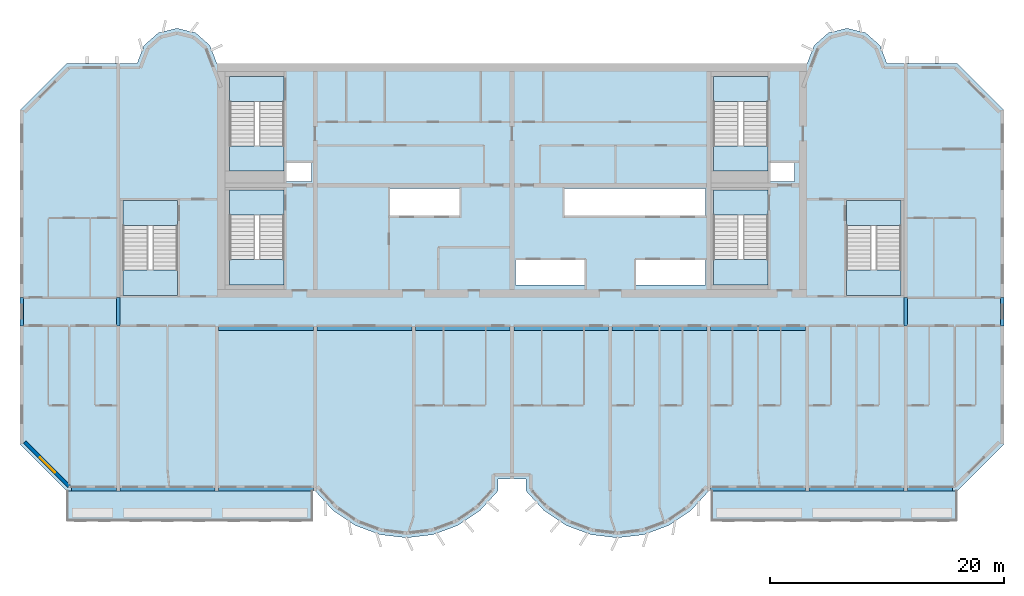
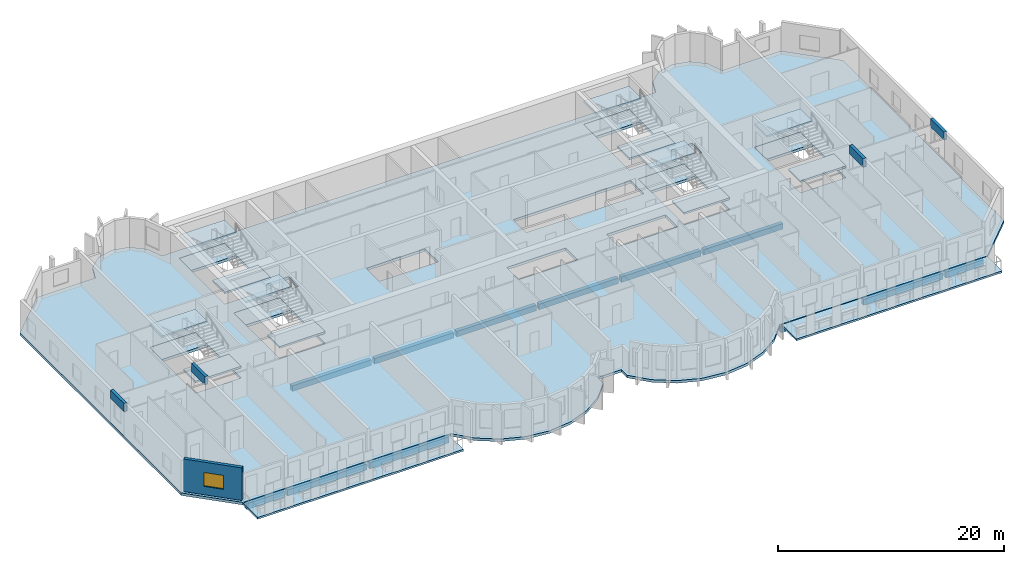
# One storey, part 1 of 13: 21 slabs, 16 beams, 1 wall, 1 window, 1 opening, 6 elements without a shape of their own.
"""IFC4 building model written with IfcOpenShell, lengths in metres."""

from ifc_helpers import new_model, si_unit, direction, frame, frame_2d, origin, origin_2d, place, context, subcontext, project, spatial, polyline, rectangle, outline, extrude, source, transform, mapped, material, layer, layer_set, material_profile, profile_set, type_object, element, fill, aggregate, save


model = new_model("IFC4")

# Units and contexts
model_context = context("Model", 3, precision=1e-05, world=origin(), true_north=direction((0.0, 1.0)))
body_context = subcontext(model_context, "Body", "Model", "MODEL_VIEW")
ifc_project = project(units=[si_unit("LENGTHUNIT", "METRE"), si_unit("AREAUNIT", "SQUARE_METRE"), si_unit("VOLUMEUNIT", "CUBIC_METRE"), si_unit("PLANEANGLEUNIT", "RADIAN"), si_unit("MASSUNIT", "GRAM", prefix="KILO")], contexts=[model_context])

# Site, building, storey
site_placement = place(None, origin())
site = spatial("IfcSite", under=ifc_project, at=site_placement, CompositionType="ELEMENT")
building_placement = place(site_placement, origin())
building = spatial("IfcBuilding", under=site, at=building_placement, Name="Vanashikhar Sky Hotel", CompositionType="ELEMENT")
storey_placement = place(building_placement, frame((0.0, 0.0, 197.199951171875)))
storey = spatial("IfcBuildingStorey", under=building, at=storey_placement, Name="L48", CompositionType="ELEMENT", Elevation=197.199951171875)

# Beams
ifc_material_1 = material(Name="Concrete M50", Category="concrete")
ifc_material_profile_1 = material_profile(ifc_material_1, rectangle(XDim=0.300048828125, YDim=0.89990234375, at=origin_2d()))
ifc_profile_set_1 = profile_set([ifc_material_profile_1], Name="RC 300x900 beam Concrete M50")
beam_type_1 = type_object("IfcBeamType", Name="RC 300x900 beam Concrete M50", PredefinedType="LINTEL", material=ifc_profile_set_1)
shared_shape_1 = source(origin(), body_context, "Body", "SweptSolid", [
    extrude(rectangle(XDim=0.300048828125, YDim=0.89990234375, at=origin_2d()), origin(), (0.0, 0.0, 1.0), 2.39990234375),
])
for number, where, z_axis, x_axis, name in (
    (1, (8.550048828125, 19.60009765625, 3.070068359375), (0.0, 1.0, 0.0), (-1.0, 0.0, 0.0), "LB-L48-XW02"),
    (2, (16.800048828125, 19.60009765625, 3.070068359375), (0.0, 1.0, 0.0), (-1.0, 0.0, 0.0), "LB-L48-XW03"),
    (3, (84.0, 19.60009765625, 3.070068359375), (0.0, 1.0, 0.0), (-1.0, 0.0, 0.0), "LB-L48-XW11"),
    (4, (92.25, 19.60009765625, 3.070068359375), (0.0, 1.0, 0.0), (-1.0, 0.0, 0.0), "LB-L48-XW12"),
):
    element("IfcBeam", number, at=place(storey_placement, frame(where, z_axis=z_axis, x_axis=x_axis)), inside=storey, type_object=beam_type_1, Name=name, PredefinedType="LINTEL", context=body_context, shape_type="MappedRepresentation", body=[
        mapped(shared_shape_1, transform((0.0, 0.0, 0.0), scale=1.0)),
    ])
ifc_material_profile_2 = material_profile(ifc_material_1, rectangle(XDim=0.39990234375, YDim=0.64990234375, at=origin_2d()))
ifc_profile_set_2 = profile_set([ifc_material_profile_2], Name="RC 400x650 beam Concrete M50")
beam_type_2 = type_object("IfcBeamType", Name="RC 400x650 beam Concrete M50", PredefinedType="BEAM", material=ifc_profile_set_2)
shared_shape_2 = source(origin(), body_context, "Body", "SweptSolid", [
    extrude(rectangle(XDim=0.39990234375, YDim=0.64990234375, at=origin_2d()), origin(), (0.0, 0.0, 1.0), 8.10009765625),
])
for number, where, z_axis, x_axis, name in (
    (5, (16.949951171875, 5.699951171875, -0.60498046875), (1.0, 0.0, 0.0), (0.0, 1.0, 0.0), "EB-L48-F01"),
    (6, (75.75, 5.699951171875, -0.60498046875), (1.0, 0.0, 0.0), (0.0, 1.0, 0.0), "EB-L48-F05"),
):
    element("IfcBeam", number, at=place(storey_placement, frame(where, z_axis=z_axis, x_axis=x_axis)), inside=storey, type_object=beam_type_2, Name=name, PredefinedType="BEAM", context=body_context, shape_type="MappedRepresentation", body=[
        mapped(shared_shape_2, transform((0.0, 0.0, 0.0), scale=1.0)),
    ])
shared_shape_3 = source(origin(), body_context, "Body", "SweptSolid", [
    extrude(rectangle(XDim=0.39990234375, YDim=0.64990234375, at=origin_2d()), origin(), (0.0, 0.0, 1.0), 8.099853515625),
])
for number, where, z_axis, x_axis, name in (
    (7, (25.35009765625, 5.699951171875, -0.60498046875), (1.0, 0.0, 0.0), (0.0, 1.0, 0.0), "EB-L48-F02"),
    (8, (67.35009765625, 5.699951171875, -0.60498046875), (1.0, 0.0, 0.0), (0.0, 1.0, 0.0), "EB-L48-F04"),
):
    element("IfcBeam", number, at=place(storey_placement, frame(where, z_axis=z_axis, x_axis=x_axis)), inside=storey, type_object=beam_type_2, Name=name, PredefinedType="BEAM", context=body_context, shape_type="MappedRepresentation", body=[
        mapped(shared_shape_3, transform((0.0, 0.0, 0.0), scale=1.0)),
    ])
ifc_material_profile_3 = material_profile(ifc_material_1, rectangle(XDim=0.39990234375, YDim=0.64990234375, at=origin_2d()))
ifc_profile_set_3 = profile_set([ifc_material_profile_3], Name="RC 400x650 cantilever beam Concrete M50")
beam_type_3 = type_object("IfcBeamType", Name="RC 400x650 cantilever beam Concrete M50", PredefinedType="SPANDREL", material=ifc_profile_set_3)
shared_shape_4 = source(origin(), body_context, "Body", "SweptSolid", [
    extrude(rectangle(XDim=0.39990234375, YDim=0.64990234375, at=origin_2d()), origin(), (0.0, 0.0, 1.0), 3.849853515625),
])
beam_1_placement = place(storey_placement, frame((12.800048828125, 5.699951171875, -0.60498046875), z_axis=(1.0, 0.0, 0.0), x_axis=(0.0, 1.0, 0.0)))
element("IfcBeam", 9, at=beam_1_placement, inside=storey, type_object=beam_type_3, Name="EB-L48-F03", PredefinedType="SPANDREL", context=body_context, shape_type="MappedRepresentation", body=[
    mapped(shared_shape_4, transform((0.0, 0.0, 0.0), scale=1.0)),
])
shared_shape_5 = source(origin(), body_context, "Body", "SweptSolid", [
    extrude(rectangle(XDim=0.39990234375, YDim=0.64990234375, at=origin_2d()), origin(), (0.0, 0.0, 1.0), 3.85009765625),
])
beam_2_placement = place(storey_placement, frame((84.14990234375, 5.699951171875, -0.60498046875), z_axis=(1.0, 0.0, 0.0), x_axis=(0.0, 1.0, 0.0)))
element("IfcBeam", 10, at=beam_2_placement, inside=storey, type_object=beam_type_3, Name="EB-L48-F06", PredefinedType="SPANDREL", context=body_context, shape_type="MappedRepresentation", body=[
    mapped(shared_shape_5, transform((0.0, 0.0, 0.0), scale=1.0)),
])
ifc_material_profile_4 = material_profile(ifc_material_1, rectangle(XDim=0.39990234375, YDim=0.60009765625, at=origin_2d()))
ifc_profile_set_4 = profile_set([ifc_material_profile_4], Name="RC 400x600 beam Concrete M50")
beam_type_4 = type_object("IfcBeamType", Name="RC 400x600 beam Concrete M50", PredefinedType="BEAM", material=ifc_profile_set_4)
shared_shape_6 = source(origin(), body_context, "Body", "SweptSolid", [
    extrude(rectangle(XDim=0.39990234375, YDim=0.60009765625, at=origin_2d()), origin(), (0.0, 0.0, 1.0), 8.099853515625),
])
for number, where, z_axis, x_axis, name in (
    (11, (25.35009765625, 19.39990234375, -0.579833984375), (1.0, 0.0, 0.0), (0.0, 1.0, 0.0), "CB-L48-01"),
    (12, (50.550048828125, 19.39990234375, -0.579833984375), (1.0, 0.0, 0.0), (0.0, 1.0, 0.0), "CB-L48-04"),
    (13, (67.35009765625, 19.39990234375, -0.579833984375), (1.0, 0.0, 0.0), (0.0, 1.0, 0.0), "CB-L48-06"),
):
    element("IfcBeam", number, at=place(storey_placement, frame(where, z_axis=z_axis, x_axis=x_axis)), inside=storey, type_object=beam_type_4, Name=name, PredefinedType="BEAM", context=body_context, shape_type="MappedRepresentation", body=[
        mapped(shared_shape_6, transform((0.0, 0.0, 0.0), scale=1.0)),
    ])
shared_shape_7 = source(origin(), body_context, "Body", "SweptSolid", [
    extrude(rectangle(XDim=0.39990234375, YDim=0.60009765625, at=origin_2d()), origin(), (0.0, 0.0, 1.0), 8.10009765625),
])
for number, where, z_axis, x_axis, name in (
    (14, (33.75, 19.39990234375, -0.579833984375), (1.0, 0.0, 0.0), (0.0, 1.0, 0.0), "CB-L48-02"),
    (15, (42.14990234375, 19.39990234375, -0.579833984375), (1.0, 0.0, 0.0), (0.0, 1.0, 0.0), "CB-L48-03"),
    (16, (58.949951171875, 19.39990234375, -0.579833984375), (1.0, 0.0, 0.0), (0.0, 1.0, 0.0), "CB-L48-05"),
):
    element("IfcBeam", number, at=place(storey_placement, frame(where, z_axis=z_axis, x_axis=x_axis)), inside=storey, type_object=beam_type_4, Name=name, PredefinedType="BEAM", context=body_context, shape_type="MappedRepresentation", body=[
        mapped(shared_shape_7, transform((0.0, 0.0, 0.0), scale=1.0)),
    ])

# Slabs
ifc_material_2 = material(Name="Concrete M40", Category="concrete")
ifc_layer_1 = layer(ifc_material_2, 0.280029296875)
ifc_layer_set_1 = layer_set([ifc_layer_1], Name="Floor slab 280 mm")
slab_type_1 = type_object("IfcSlabType", Name="Floor slab 280 mm", PredefinedType="FLOOR", material=ifc_layer_set_1)
shared_shape_8 = source(origin(), body_context, "Body", "SweptSolid", [
    extrude(outline(polyline([(49.199951171875, 5.5), (49.199951171875, 6.5), (51.60009765625, 6.5), (51.60009765625, 5.5), (53.133056640625, 3.825927734375), (55.01708984375, 2.55810546875), (57.14599609375, 1.76806640625), (59.39990234375, 1.5), (61.654052734375, 1.76806640625), (63.782958984375, 2.55810546875), (65.6669921875, 3.825927734375), (67.199951171875, 5.5), (88.39990234375, 5.5), (92.39990234375, 9.5), (92.39990234375, 38.0), (88.39990234375, 42.0), (82.39990234375, 42.0), (81.81494140625, 43.527099609375), (80.587890625, 44.610107421875), (79.0, 45.0), (77.412109375, 44.610107421875), (76.18505859375, 43.527099609375), (75.60009765625, 42.0), (25.199951171875, 42.0), (24.614990234375, 43.527099609375), (23.387939453125, 44.610107421875), (21.800048828125, 45.0), (20.2119140625, 44.610107421875), (18.985107421875, 43.527099609375), (18.39990234375, 42.0), (12.39990234375, 42.0), (8.39990234375, 38.0), (8.39990234375, 9.5), (12.39990234375, 5.5), (33.60009765625, 5.5), (35.133056640625, 3.825927734375), (37.01708984375, 2.55810546875), (39.14599609375, 1.76806640625), (41.39990234375, 1.5), (43.654052734375, 1.76806640625), (45.782958984375, 2.55810546875), (47.6669921875, 3.825927734375), (49.199951171875, 5.5)]), holes=[polyline([(33.300048828125, 33.60009765625), (31.050048828125, 33.60009765625), (31.050048828125, 31.89990234375), (33.300048828125, 31.89990234375), (33.300048828125, 33.60009765625)]), polyline([(39.89990234375, 31.300048828125), (39.89990234375, 29.0), (45.89990234375, 29.0), (45.89990234375, 31.300048828125), (39.89990234375, 31.300048828125)]), polyline([(50.699951171875, 25.199951171875), (50.699951171875, 23.10009765625), (56.699951171875, 23.10009765625), (56.699951171875, 25.199951171875), (50.699951171875, 25.199951171875)]), polyline([(66.89990234375, 29.0), (66.89990234375, 31.300048828125), (54.89990234375, 31.300048828125), (54.89990234375, 29.0), (66.89990234375, 29.0)]), polyline([(60.89990234375, 25.199951171875), (60.89990234375, 23.10009765625), (66.89990234375, 23.10009765625), (66.89990234375, 25.199951171875), (60.89990234375, 25.199951171875)]), polyline([(74.5, 33.60009765625), (72.35009765625, 33.60009765625), (72.35009765625, 31.89990234375), (74.5, 31.89990234375), (74.5, 33.60009765625)]), polyline([(30.949951171875, 23.10009765625), (30.949951171875, 31.199951171875), (26.300048828125, 31.199951171875), (26.300048828125, 23.10009765625), (30.949951171875, 23.10009765625)]), polyline([(72.25, 23.10009765625), (72.25, 31.199951171875), (67.60009765625, 31.199951171875), (67.60009765625, 23.10009765625), (72.25, 23.10009765625)]), polyline([(30.949951171875, 32.800048828125), (30.949951171875, 40.89990234375), (26.300048828125, 40.89990234375), (26.300048828125, 32.800048828125), (30.949951171875, 32.800048828125)]), polyline([(72.25, 32.800048828125), (72.25, 40.89990234375), (67.60009765625, 40.89990234375), (67.60009765625, 32.800048828125), (72.25, 32.800048828125)]), polyline([(83.60009765625, 22.199951171875), (83.60009765625, 30.300048828125), (78.949951171875, 30.300048828125), (78.949951171875, 22.199951171875), (83.60009765625, 22.199951171875)]), polyline([(21.85009765625, 22.199951171875), (21.85009765625, 30.300048828125), (17.199951171875, 30.300048828125), (17.199951171875, 22.199951171875), (21.85009765625, 22.199951171875)])]), origin(), (0.0, 0.0, 1.0), 0.280029296875),
])
slab_1_placement = place(storey_placement, frame((0.0, 0.0, -0.280029296875)))
element("IfcSlab", 17, at=slab_1_placement, inside=storey, type_object=slab_type_1, Name="Floor slab L48", PredefinedType="FLOOR", context=body_context, shape_type="MappedRepresentation", body=[
    mapped(shared_shape_8, transform((0.0, 0.0, 0.0), scale=1.0)),
])
ifc_layer_2 = layer(ifc_material_2, 0.199951171875)
ifc_layer_set_2 = layer_set([ifc_layer_2], Name="Balcony slab 200 mm")
slab_type_2 = type_object("IfcSlabType", Name="Balcony slab 200 mm", PredefinedType="USERDEFINED", material=ifc_layer_set_2)
shared_shape_9 = source(origin(), body_context, "Body", "SweptSolid", [
    extrude(outline(polyline([(12.39990234375, 2.89990234375), (33.39990234375, 2.89990234375), (33.39990234375, 5.5), (12.39990234375, 5.5), (12.39990234375, 2.89990234375)])), origin(), (0.0, 0.0, 1.0), 0.199951171875),
])
slab_2_placement = place(storey_placement, frame((0.0, 0.0, -0.25)))
element("IfcSlab", 18, at=slab_2_placement, inside=storey, type_object=slab_type_2, Name="Balcony slab L48 1", ObjectType="BALCONY", PredefinedType="USERDEFINED", context=body_context, shape_type="MappedRepresentation", body=[
    mapped(shared_shape_9, transform((0.0, 0.0, 0.0), scale=1.0)),
])
shared_shape_10 = source(origin(), body_context, "Body", "SweptSolid", [
    extrude(outline(polyline([(67.39990234375, 2.89990234375), (88.39990234375, 2.89990234375), (88.39990234375, 5.5), (67.39990234375, 5.5), (67.39990234375, 2.89990234375)])), origin(), (0.0, 0.0, 1.0), 0.199951171875),
])
slab_3_placement = place(storey_placement, frame((0.0, 0.0, -0.25)))
element("IfcSlab", 19, at=slab_3_placement, inside=storey, type_object=slab_type_2, Name="Balcony slab L48 2", ObjectType="BALCONY", PredefinedType="USERDEFINED", context=body_context, shape_type="MappedRepresentation", body=[
    mapped(shared_shape_10, transform((0.0, 0.0, 0.0), scale=1.0)),
])

# Stair, slabs
stair_type = type_object("IfcStairType", Name="Exit stair 2150", PredefinedType="DOUBLE_RETURN_STAIR", material=ifc_material_2)
stair_1_placement = place(storey_placement, origin())
stair_1 = element("IfcStair", 20, at=stair_1_placement, inside=storey, type_object=stair_type, Name="L48 Exit stair 1", PredefinedType="DOUBLE_RETURN_STAIR")
ifc_layer_3 = layer(ifc_material_2, 0.199951171875)
ifc_layer_set_3 = layer_set([ifc_layer_3], Name="Stair landing 200")
slab_type_3 = type_object("IfcSlabType", Name="Stair landing 200", PredefinedType="LANDING", material=ifc_layer_set_3)
shared_shape_11 = source(origin(), body_context, "Body", "SweptSolid", [
    extrude(outline(polyline([(30.949951171875, 29.050048828125), (30.949951171875, 31.199951171875), (26.300048828125, 31.199951171875), (26.300048828125, 29.050048828125), (30.949951171875, 29.050048828125)])), origin(), (0.0, 0.0, 1.0), 0.199951171875),
])
slab_4_placement = place(storey_placement, frame((0.0, 0.0, 2.33349609375)))
slab_4 = element("IfcSlab", 21, at=slab_4_placement, type_object=slab_type_3, Name="ST-C1 landing 2", PredefinedType="LANDING", context=body_context, shape_type="MappedRepresentation", body=[
    mapped(shared_shape_11, transform((0.0, 0.0, 0.0), scale=1.0)),
])
shared_shape_12 = source(origin(), body_context, "Body", "SweptSolid", [
    extrude(outline(polyline([(30.949951171875, 23.10009765625), (30.949951171875, 25.25), (26.300048828125, 25.25), (26.300048828125, 23.10009765625), (30.949951171875, 23.10009765625)])), origin(), (0.0, 0.0, 1.0), 0.199951171875),
])
slab_5_placement = place(storey_placement, frame((0.0, 0.0, 1.066650390625)))
slab_5 = element("IfcSlab", 22, at=slab_5_placement, type_object=slab_type_3, Name="ST-C1 landing 1", PredefinedType="LANDING", context=body_context, shape_type="MappedRepresentation", body=[
    mapped(shared_shape_12, transform((0.0, 0.0, 0.0), scale=1.0)),
])
aggregate(stair_1, [slab_5, slab_4])

# Slab
ifc_layer_4 = layer(ifc_material_2, 0.280029296875)
ifc_layer_set_4 = layer_set([ifc_layer_4], Name="Stair floor landing 280")
slab_type_4 = type_object("IfcSlabType", Name="Stair floor landing 280", PredefinedType="LANDING", material=ifc_layer_set_4)
shared_shape_13 = source(origin(), body_context, "Body", "SweptSolid", [
    extrude(outline(polyline([(30.949951171875, 29.050048828125), (30.949951171875, 31.199951171875), (26.300048828125, 31.199951171875), (26.300048828125, 29.050048828125), (30.949951171875, 29.050048828125)])), origin(), (0.0, 0.0, 1.0), 0.280029296875),
])
slab_6_placement = place(storey_placement, frame((0.0, 0.0, -0.280029296875)))
element("IfcSlab", 23, at=slab_6_placement, inside=storey, type_object=slab_type_4, Name="Exit stair 1 floor landing", PredefinedType="LANDING", context=body_context, shape_type="MappedRepresentation", body=[
    mapped(shared_shape_13, transform((0.0, 0.0, 0.0), scale=1.0)),
])

# Stair, slabs
stair_2_placement = place(storey_placement, origin())
stair_2 = element("IfcStair", 24, at=stair_2_placement, inside=storey, type_object=stair_type, Name="L48 Exit stair 2", PredefinedType="DOUBLE_RETURN_STAIR")
shared_shape_14 = source(origin(), body_context, "Body", "SweptSolid", [
    extrude(outline(polyline([(72.25, 29.050048828125), (72.25, 31.199951171875), (67.60009765625, 31.199951171875), (67.60009765625, 29.050048828125), (72.25, 29.050048828125)])), origin(), (0.0, 0.0, 1.0), 0.199951171875),
])
slab_7_placement = place(storey_placement, frame((0.0, 0.0, 2.33349609375)))
slab_7 = element("IfcSlab", 25, at=slab_7_placement, type_object=slab_type_3, Name="ST-C2 landing 2", PredefinedType="LANDING", context=body_context, shape_type="MappedRepresentation", body=[
    mapped(shared_shape_14, transform((0.0, 0.0, 0.0), scale=1.0)),
])
shared_shape_15 = source(origin(), body_context, "Body", "SweptSolid", [
    extrude(outline(polyline([(72.25, 23.10009765625), (72.25, 25.25), (67.60009765625, 25.25), (67.60009765625, 23.10009765625), (72.25, 23.10009765625)])), origin(), (0.0, 0.0, 1.0), 0.199951171875),
])
slab_8_placement = place(storey_placement, frame((0.0, 0.0, 1.066650390625)))
slab_8 = element("IfcSlab", 26, at=slab_8_placement, type_object=slab_type_3, Name="ST-C2 landing 1", PredefinedType="LANDING", context=body_context, shape_type="MappedRepresentation", body=[
    mapped(shared_shape_15, transform((0.0, 0.0, 0.0), scale=1.0)),
])
aggregate(stair_2, [slab_8, slab_7])

# Slab
shared_shape_16 = source(origin(), body_context, "Body", "SweptSolid", [
    extrude(outline(polyline([(72.25, 29.050048828125), (72.25, 31.199951171875), (67.60009765625, 31.199951171875), (67.60009765625, 29.050048828125), (72.25, 29.050048828125)])), origin(), (0.0, 0.0, 1.0), 0.280029296875),
])
slab_9_placement = place(storey_placement, frame((0.0, 0.0, -0.280029296875)))
element("IfcSlab", 27, at=slab_9_placement, inside=storey, type_object=slab_type_4, Name="Exit stair 2 floor landing", PredefinedType="LANDING", context=body_context, shape_type="MappedRepresentation", body=[
    mapped(shared_shape_16, transform((0.0, 0.0, 0.0), scale=1.0)),
])

# Stair, slabs
stair_3_placement = place(storey_placement, origin())
stair_3 = element("IfcStair", 28, at=stair_3_placement, inside=storey, type_object=stair_type, Name="L48 Exit stair 3", PredefinedType="DOUBLE_RETURN_STAIR")
shared_shape_17 = source(origin(), body_context, "Body", "SweptSolid", [
    extrude(outline(polyline([(21.85009765625, 28.14990234375), (21.85009765625, 30.300048828125), (17.199951171875, 30.300048828125), (17.199951171875, 28.14990234375), (21.85009765625, 28.14990234375)])), origin(), (0.0, 0.0, 1.0), 0.199951171875),
])
slab_10_placement = place(storey_placement, frame((0.0, 0.0, 2.33349609375)))
slab_10 = element("IfcSlab", 29, at=slab_10_placement, type_object=slab_type_3, Name="ST-W landing 2", PredefinedType="LANDING", context=body_context, shape_type="MappedRepresentation", body=[
    mapped(shared_shape_17, transform((0.0, 0.0, 0.0), scale=1.0)),
])
shared_shape_18 = source(origin(), body_context, "Body", "SweptSolid", [
    extrude(outline(polyline([(21.85009765625, 22.199951171875), (21.85009765625, 24.35009765625), (17.199951171875, 24.35009765625), (17.199951171875, 22.199951171875), (21.85009765625, 22.199951171875)])), origin(), (0.0, 0.0, 1.0), 0.199951171875),
])
slab_11_placement = place(storey_placement, frame((0.0, 0.0, 1.066650390625)))
slab_11 = element("IfcSlab", 30, at=slab_11_placement, type_object=slab_type_3, Name="ST-W landing 1", PredefinedType="LANDING", context=body_context, shape_type="MappedRepresentation", body=[
    mapped(shared_shape_18, transform((0.0, 0.0, 0.0), scale=1.0)),
])
aggregate(stair_3, [slab_11, slab_10])

# Slab
shared_shape_19 = source(origin(), body_context, "Body", "SweptSolid", [
    extrude(outline(polyline([(21.85009765625, 28.14990234375), (21.85009765625, 30.300048828125), (17.199951171875, 30.300048828125), (17.199951171875, 28.14990234375), (21.85009765625, 28.14990234375)])), origin(), (0.0, 0.0, 1.0), 0.280029296875),
])
slab_12_placement = place(storey_placement, frame((0.0, 0.0, -0.280029296875)))
element("IfcSlab", 31, at=slab_12_placement, inside=storey, type_object=slab_type_4, Name="Exit stair 3 floor landing", PredefinedType="LANDING", context=body_context, shape_type="MappedRepresentation", body=[
    mapped(shared_shape_19, transform((0.0, 0.0, 0.0), scale=1.0)),
])

# Stair, slabs
stair_4_placement = place(storey_placement, origin())
stair_4 = element("IfcStair", 32, at=stair_4_placement, inside=storey, type_object=stair_type, Name="L48 Exit stair 4", PredefinedType="DOUBLE_RETURN_STAIR")
shared_shape_20 = source(origin(), body_context, "Body", "SweptSolid", [
    extrude(outline(polyline([(83.60009765625, 28.14990234375), (83.60009765625, 30.300048828125), (78.949951171875, 30.300048828125), (78.949951171875, 28.14990234375), (83.60009765625, 28.14990234375)])), origin(), (0.0, 0.0, 1.0), 0.199951171875),
])
slab_13_placement = place(storey_placement, frame((0.0, 0.0, 2.33349609375)))
slab_13 = element("IfcSlab", 33, at=slab_13_placement, type_object=slab_type_3, Name="ST-E landing 2", PredefinedType="LANDING", context=body_context, shape_type="MappedRepresentation", body=[
    mapped(shared_shape_20, transform((0.0, 0.0, 0.0), scale=1.0)),
])
shared_shape_21 = source(origin(), body_context, "Body", "SweptSolid", [
    extrude(outline(polyline([(83.60009765625, 22.199951171875), (83.60009765625, 24.35009765625), (78.949951171875, 24.35009765625), (78.949951171875, 22.199951171875), (83.60009765625, 22.199951171875)])), origin(), (0.0, 0.0, 1.0), 0.199951171875),
])
slab_14_placement = place(storey_placement, frame((0.0, 0.0, 1.066650390625)))
slab_14 = element("IfcSlab", 34, at=slab_14_placement, type_object=slab_type_3, Name="ST-E landing 1", PredefinedType="LANDING", context=body_context, shape_type="MappedRepresentation", body=[
    mapped(shared_shape_21, transform((0.0, 0.0, 0.0), scale=1.0)),
])
aggregate(stair_4, [slab_14, slab_13])

# Slab
shared_shape_22 = source(origin(), body_context, "Body", "SweptSolid", [
    extrude(outline(polyline([(83.60009765625, 28.14990234375), (83.60009765625, 30.300048828125), (78.949951171875, 30.300048828125), (78.949951171875, 28.14990234375), (83.60009765625, 28.14990234375)])), origin(), (0.0, 0.0, 1.0), 0.280029296875),
])
slab_15_placement = place(storey_placement, frame((0.0, 0.0, -0.280029296875)))
element("IfcSlab", 35, at=slab_15_placement, inside=storey, type_object=slab_type_4, Name="Exit stair 4 floor landing", PredefinedType="LANDING", context=body_context, shape_type="MappedRepresentation", body=[
    mapped(shared_shape_22, transform((0.0, 0.0, 0.0), scale=1.0)),
])

# Stair, slabs
stair_5_placement = place(storey_placement, origin())
stair_5 = element("IfcStair", 36, at=stair_5_placement, inside=storey, type_object=stair_type, Name="L48 Exit stair 5", PredefinedType="DOUBLE_RETURN_STAIR")
shared_shape_23 = source(origin(), body_context, "Body", "SweptSolid", [
    extrude(outline(polyline([(30.949951171875, 38.75), (30.949951171875, 40.89990234375), (26.300048828125, 40.89990234375), (26.300048828125, 38.75), (30.949951171875, 38.75)])), origin(), (0.0, 0.0, 1.0), 0.199951171875),
])
slab_16_placement = place(storey_placement, frame((0.0, 0.0, 2.33349609375)))
slab_16 = element("IfcSlab", 37, at=slab_16_placement, type_object=slab_type_3, Name="ST-C3 landing 2", PredefinedType="LANDING", context=body_context, shape_type="MappedRepresentation", body=[
    mapped(shared_shape_23, transform((0.0, 0.0, 0.0), scale=1.0)),
])
shared_shape_24 = source(origin(), body_context, "Body", "SweptSolid", [
    extrude(outline(polyline([(30.949951171875, 32.800048828125), (30.949951171875, 34.949951171875), (26.300048828125, 34.949951171875), (26.300048828125, 32.800048828125), (30.949951171875, 32.800048828125)])), origin(), (0.0, 0.0, 1.0), 0.199951171875),
])
slab_17_placement = place(storey_placement, frame((0.0, 0.0, 1.066650390625)))
slab_17 = element("IfcSlab", 38, at=slab_17_placement, type_object=slab_type_3, Name="ST-C3 landing 1", PredefinedType="LANDING", context=body_context, shape_type="MappedRepresentation", body=[
    mapped(shared_shape_24, transform((0.0, 0.0, 0.0), scale=1.0)),
])
aggregate(stair_5, [slab_17, slab_16])

# Slab
shared_shape_25 = source(origin(), body_context, "Body", "SweptSolid", [
    extrude(outline(polyline([(30.949951171875, 38.75), (30.949951171875, 40.89990234375), (26.300048828125, 40.89990234375), (26.300048828125, 38.75), (30.949951171875, 38.75)])), origin(), (0.0, 0.0, 1.0), 0.280029296875),
])
slab_18_placement = place(storey_placement, frame((0.0, 0.0, -0.280029296875)))
element("IfcSlab", 39, at=slab_18_placement, inside=storey, type_object=slab_type_4, Name="Exit stair 5 floor landing", PredefinedType="LANDING", context=body_context, shape_type="MappedRepresentation", body=[
    mapped(shared_shape_25, transform((0.0, 0.0, 0.0), scale=1.0)),
])

# Stair, slabs
stair_6_placement = place(storey_placement, origin())
stair_6 = element("IfcStair", 40, at=stair_6_placement, inside=storey, type_object=stair_type, Name="L48 Exit stair 6", PredefinedType="DOUBLE_RETURN_STAIR")
shared_shape_26 = source(origin(), body_context, "Body", "SweptSolid", [
    extrude(outline(polyline([(72.25, 38.75), (72.25, 40.89990234375), (67.60009765625, 40.89990234375), (67.60009765625, 38.75), (72.25, 38.75)])), origin(), (0.0, 0.0, 1.0), 0.199951171875),
])
slab_19_placement = place(storey_placement, frame((0.0, 0.0, 2.33349609375)))
slab_19 = element("IfcSlab", 41, at=slab_19_placement, type_object=slab_type_3, Name="ST-C4 landing 2", PredefinedType="LANDING", context=body_context, shape_type="MappedRepresentation", body=[
    mapped(shared_shape_26, transform((0.0, 0.0, 0.0), scale=1.0)),
])
shared_shape_27 = source(origin(), body_context, "Body", "SweptSolid", [
    extrude(outline(polyline([(72.25, 32.800048828125), (72.25, 34.949951171875), (67.60009765625, 34.949951171875), (67.60009765625, 32.800048828125), (72.25, 32.800048828125)])), origin(), (0.0, 0.0, 1.0), 0.199951171875),
])
slab_20_placement = place(storey_placement, frame((0.0, 0.0, 1.066650390625)))
slab_20 = element("IfcSlab", 42, at=slab_20_placement, type_object=slab_type_3, Name="ST-C4 landing 1", PredefinedType="LANDING", context=body_context, shape_type="MappedRepresentation", body=[
    mapped(shared_shape_27, transform((0.0, 0.0, 0.0), scale=1.0)),
])
aggregate(stair_6, [slab_20, slab_19])

# Slab
shared_shape_28 = source(origin(), body_context, "Body", "SweptSolid", [
    extrude(outline(polyline([(72.25, 38.75), (72.25, 40.89990234375), (67.60009765625, 40.89990234375), (67.60009765625, 38.75), (72.25, 38.75)])), origin(), (0.0, 0.0, 1.0), 0.280029296875),
])
slab_21_placement = place(storey_placement, frame((0.0, 0.0, -0.280029296875)))
element("IfcSlab", 43, at=slab_21_placement, inside=storey, type_object=slab_type_4, Name="Exit stair 6 floor landing", PredefinedType="LANDING", context=body_context, shape_type="MappedRepresentation", body=[
    mapped(shared_shape_28, transform((0.0, 0.0, 0.0), scale=1.0)),
])

# Wall, opening, window
ifc_layer_5 = layer(ifc_material_1, 0.300048828125)
ifc_layer_set_5 = layer_set([ifc_layer_5], Name="Lobe wall 300")
wall_type = type_object("IfcWallType", Name="Lobe wall 300", PredefinedType="SOLIDWALL", material=ifc_layer_set_5)
shared_shape_29 = source(origin(), body_context, "Body", "SweptSolid", [
    extrude(rectangle(XDim=5.32568359375, YDim=0.300048828125, at=frame_2d((2.662841796875, 0.0))), origin(), (0.0, 0.0, 1.0), 3.52001953125),
])
wall_placement = place(storey_placement, frame((8.800048828125, 9.665771484375, 0.0), z_axis=(0.0, 0.0, 1.0), x_axis=(0.707083859269, -0.707129702361, 0.0)))
wall = element("IfcWall", 44, at=wall_placement, inside=storey, type_object=wall_type, Name="Corner wall", PredefinedType="SOLIDWALL", context=body_context, shape_type="MappedRepresentation", body=[
    mapped(shared_shape_29, transform((0.0, 0.0, 0.0), scale=1.0)),
])
shared_shape_30 = source(origin(), body_context, "Body", "SweptSolid", [
    extrude(rectangle(XDim=1.800048828125, YDim=1.5, at=frame_2d((0.89990234375, 0.75))), frame((0.0, 0.16015625, 0.0), z_axis=(0.0, -1.0, 0.0), x_axis=(1.0, 0.0, 0.0)), (0.0, 0.0, 1.0), 0.320068359375),
])
opening_placement = place(wall_placement, frame((1.8359375, 0.0, 0.89990234375)))
opening = element("IfcOpeningElement", 45, at=opening_placement, cuts=wall, Name="Opening WN-4", PredefinedType="OPENING", context=body_context, shape_type="MappedRepresentation", body=[
    mapped(shared_shape_30, transform((0.0, 0.0, 0.0), scale=1.0)),
])
ifc_material_3 = material(Name="Glass", Category="glass")
window_type = type_object("IfcWindowType", Name="Corner window 1800 x 1500", PartitioningType="SINGLE_PANEL", PredefinedType="WINDOW", material=ifc_material_3)
shared_shape_31 = source(origin(), body_context, "Body", "SweptSolid", [
    extrude(rectangle(XDim=1.800048828125, YDim=1.5, at=frame_2d((0.89990234375, 0.75))), frame((0.0, 0.030029296875, 0.0), z_axis=(0.0, -1.0, 0.0), x_axis=(1.0, 0.0, 0.0)), (0.0, 0.0, 1.0), 0.06005859375),
])
window_placement = place(opening_placement, origin())
window = element("IfcWindow", 46, at=window_placement, inside=storey, type_object=window_type, Name="Window WN-4", OverallHeight=1.5, OverallWidth=1.800048828125, PartitioningType="SINGLE_PANEL", PredefinedType="WINDOW", context=body_context, shape_type="MappedRepresentation", body=[
    mapped(shared_shape_31, transform((0.0, 0.0, 0.0), scale=1.0)),
])
fill(opening, window)

save(model, "model.ifc")
